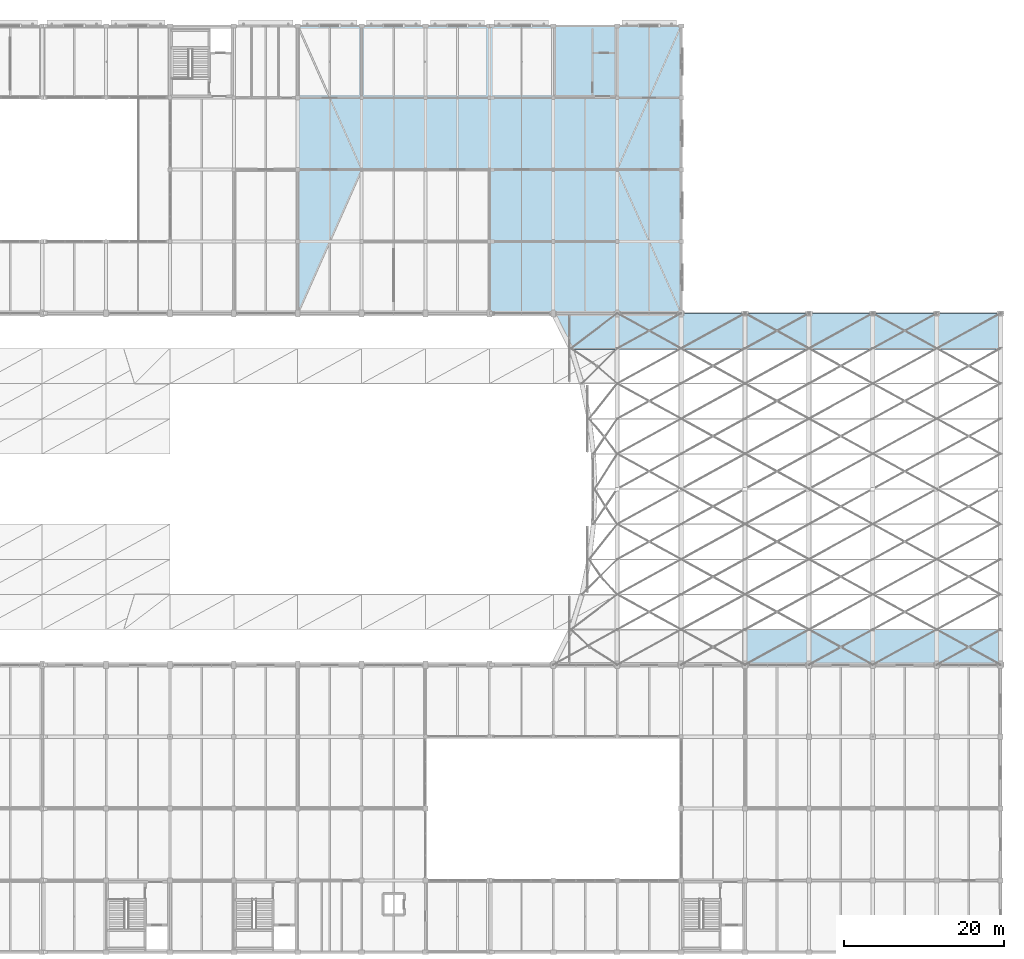
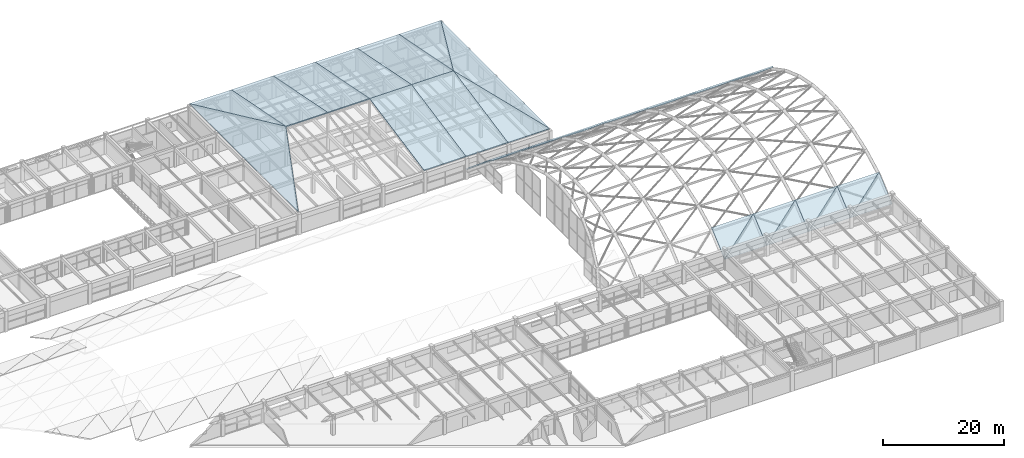
# One storey, part 107 of 126: 33 roofs.
"""IFC4 building model written with IfcOpenShell, lengths in metres."""

from ifc_helpers import new_model, si_unit, direction, frame, origin, place, context, subcontext, project, spatial, polyline, outline, extrude, material, layer, layer_set, type_object, element, save


model = new_model("IFC4")

# Units and contexts
model_context = context("Model", 3, precision=1e-05, world=origin(), true_north=direction((0.0, 1.0)))
body_context = subcontext(model_context, "Body", "Model", "MODEL_VIEW")
ifc_project = project(units=[si_unit("LENGTHUNIT", "METRE"), si_unit("AREAUNIT", "SQUARE_METRE"), si_unit("VOLUMEUNIT", "CUBIC_METRE"), si_unit("PLANEANGLEUNIT", "RADIAN"), si_unit("MASSUNIT", "GRAM", prefix="KILO")], contexts=[model_context])

# Site, building, storey
site_placement = place(None, origin())
site = spatial("IfcSite", under=ifc_project, at=site_placement, CompositionType="ELEMENT")
building_placement = place(site_placement, origin())
building = spatial("IfcBuilding", under=site, at=building_placement, Name="Varnabhumi Central Station", CompositionType="ELEMENT")
storey_placement = place(building_placement, frame((0.0, 0.0, 16.199951171875)))
storey = spatial("IfcBuildingStorey", under=building, at=storey_placement, Name="L03", CompositionType="ELEMENT", Elevation=16.199951171875)

# Roofs
ifc_material_1 = material(Name="Terracotta clay Mission barrel tile", Category="masonry")
ifc_layer_1 = layer(ifc_material_1, 0.179931640625, Name="Terracotta clay Mission barrel tile", Category="masonry")
ifc_layer_set_1 = layer_set([ifc_layer_1], Name="Terracotta clay Mission barrel tile")
roof_type_1 = type_object("IfcRoofType", Name="ROOF-MISSION-HIP", PredefinedType="HIP_ROOF", material=ifc_layer_set_1)
for number, where, z_axis, x_axis, name in (
    (1, (96.0, 80.0, 4.402099609375), (-0.405892611102, 0.0, 0.913920777887), (0.0, 1.0, 0.0), "Clay Barrel-Tile Hip End Slope NW4-E"),
    (2, (144.0, 116.0, 4.402099609375), (0.405892611102, 0.0, 0.913920777887), (0.0, -1.0, 0.0), "Clay Barrel-Tile Hip End Slope NW4-W"),
):
    element("IfcRoof", number, at=place(storey_placement, frame(where, z_axis=z_axis, x_axis=x_axis)), inside=storey, type_object=roof_type_1, Name=name, PredefinedType="HIP_ROOF", context=body_context, shape_type="SweptSolid", body=[
        extrude(outline(polyline([(0.0, 0.0), (36.0, 0.0), (18.0, -8.753493949988933), (0.0, 0.0)])), origin(), (0.0, 0.0, -1.0), 0.179931640625),
    ])
roof_1_placement = place(storey_placement, frame((104.0, 116.0, 4.402099609375), z_axis=(0.0, 0.193651232285, 0.981070435919), x_axis=(-1.0, 0.0, 0.0)))
element("IfcRoof", 3, at=roof_1_placement, inside=storey, type_object=roof_type_1, Name="Clay Barrel-Tile Roof Slope NW4-1N", PredefinedType="HIP_ROOF", context=body_context, shape_type="SweptSolid", body=[
    extrude(outline(polyline([(0.0, 0.0), (8.0, 0.0), (0.0, 18.347306514376786), (0.0, 0.0)])), origin(), (0.0, 0.0, -1.0), 0.179931640625),
])
for number, where, z_axis, x_axis, name in (
    (4, (112.0, 116.0, 4.402099609375), (0.0, 0.193651232285, 0.981070435919), (-1.0, 0.0, 0.0), "Clay Barrel-Tile Roof Slope NW4-2N"),
    (5, (120.0, 116.0, 4.402099609375), (0.0, 0.193651232285, 0.981070435919), (-1.0, 0.0, 0.0), "Clay Barrel-Tile Roof Slope NW4-3N"),
    (6, (120.0, 80.0, 4.402099609375), (0.0, -0.193651232285, 0.981070435919), (1.0, 0.0, 0.0), "Clay Barrel-Tile Roof Slope NW4-4S"),
    (7, (128.0, 116.0, 4.402099609375), (0.0, 0.193651232285, 0.981070435919), (-1.0, 0.0, 0.0), "Clay Barrel-Tile Roof Slope NW4-4N"),
    (8, (128.0, 80.0, 4.402099609375), (0.0, -0.193651232285, 0.981070435919), (1.0, 0.0, 0.0), "Clay Barrel-Tile Roof Slope NW4-5S"),
    (9, (136.0, 116.0, 4.402099609375), (0.0, 0.193651232285, 0.981070435919), (-1.0, 0.0, 0.0), "Clay Barrel-Tile Roof Slope NW4-5N"),
):
    element("IfcRoof", number, at=place(storey_placement, frame(where, z_axis=z_axis, x_axis=x_axis)), inside=storey, type_object=roof_type_1, Name=name, PredefinedType="HIP_ROOF", context=body_context, shape_type="SweptSolid", body=[
        extrude(outline(polyline([(0.0, 0.0), (8.0, 0.0), (8.0, 18.347306514376786), (0.0, 18.347306514376786), (0.0, 0.0)])), origin(), (0.0, 0.0, -1.0), 0.179931640625),
    ])
roof_2_placement = place(storey_placement, frame((136.0, 80.0, 4.402099609375), z_axis=(0.0, -0.193651232285, 0.981070435919), x_axis=(1.0, 0.0, 0.0)))
element("IfcRoof", 10, at=roof_2_placement, inside=storey, type_object=roof_type_1, Name="Clay Barrel-Tile Roof Slope NW4-6S", PredefinedType="HIP_ROOF", context=body_context, shape_type="SweptSolid", body=[
    extrude(outline(polyline([(0.0, 0.0), (8.0, 0.0), (0.0, 18.347306514376786), (0.0, 0.0)])), origin(), (0.0, 0.0, -1.0), 0.179931640625),
])
roof_3_placement = place(storey_placement, frame((144.0, 116.0, 4.402099609375), z_axis=(0.0, 0.193651232285, 0.981070435919), x_axis=(-1.0, 0.0, 0.0)))
element("IfcRoof", 11, at=roof_3_placement, inside=storey, type_object=roof_type_1, Name="Clay Barrel-Tile Roof Slope NW4-6N", PredefinedType="HIP_ROOF", context=body_context, shape_type="SweptSolid", body=[
    extrude(outline(polyline([(0.0, 0.0), (8.0, 0.0), (8.0, 18.347306514376786), (0.0, 0.0)])), origin(), (0.0, 0.0, -1.0), 0.179931640625),
])
ifc_material_2 = material(Name="Champagne bronze diamond metal panel")
ifc_layer_2 = layer(ifc_material_2, 0.159912109375, Name="Champagne bronze diamond metal panel")
ifc_layer_set_2 = layer_set([ifc_layer_2], Name="Champagne bronze diamond metal panel")
roof_type_2 = type_object("IfcRoofType", Name="ROOF-VAULT-BARREL", PredefinedType="BARREL_ROOF", material=ifc_layer_set_2)
roof_4_placement = place(storey_placement, frame((130.2138671875, 75.60009765625, 5.620849609375), z_axis=(0.0, 0.648317740244, 0.761369888875), x_axis=(1.0, 0.0, 0.0)))
element("IfcRoof", 12, at=roof_4_placement, inside=storey, type_object=roof_type_2, Name="Platform Train-Shed Vault Diamond Shell Panel 1-10A", PredefinedType="BARREL_ROOF", context=body_context, shape_type="SweptSolid", body=[
    extrude(outline(polyline([(0.0, 0.0), (5.7861328125, 0.0), (5.7861328125, 5.778928754658784), (0.0, 0.0)])), origin(), (0.0, 0.0, -1.0), 0.159912109375),
])
roof_5_placement = place(storey_placement, frame((130.2138671875, 75.60009765625, 5.620849609375), z_axis=(0.0, 0.648317740244, 0.761369888875), x_axis=(0.707547111794, 0.538034348049, -0.458144218464)))
element("IfcRoof", 13, at=roof_5_placement, inside=storey, type_object=roof_type_2, Name="Platform Train-Shed Vault Diamond Shell Panel 1-10B", PredefinedType="BARREL_ROOF", context=body_context, shape_type="SweptSolid", body=[
    extrude(outline(polyline([(0.0, 0.0), (8.177735045555785, 4.440892098500626e-16), (2.517358151203365, 5.653329409638293), (0.0, 0.0)])), origin(), (0.0, 0.0, -1.0), 0.159912109375),
])
roof_6_placement = place(storey_placement, frame((136.0, 75.60009765625, 5.620849609375), z_axis=(0.0, 0.648317740244, 0.761369888875), x_axis=(1.0, 0.0, 0.0)))
element("IfcRoof", 14, at=roof_6_placement, inside=storey, type_object=roof_type_2, Name="Platform Train-Shed Vault Diamond Shell Panel 2-10A", PredefinedType="BARREL_ROOF", context=body_context, shape_type="SweptSolid", body=[
    extrude(outline(polyline([(0.0, 0.0), (8.0, 0.0), (8.0, 5.778928754658784), (0.0, 0.0)])), origin(), (0.0, 0.0, -1.0), 0.159912109375),
])
roof_7_placement = place(storey_placement, frame((136.0, 75.60009765625, 5.620849609375), z_axis=(0.0, 0.648317740244, 0.761369888875), x_axis=(0.810623868746, 0.4458332325, -0.379633602593)))
element("IfcRoof", 15, at=roof_7_placement, inside=storey, type_object=roof_type_2, Name="Platform Train-Shed Vault Diamond Shell Panel 2-10B", PredefinedType="BARREL_ROOF", context=body_context, shape_type="SweptSolid", body=[
    extrude(outline(polyline([(0.0, 0.0), (9.868942068500662, 0.0), (3.3839511185311686, 4.684537584310085), (0.0, 0.0)])), origin(), (0.0, 0.0, -1.0), 0.159912109375),
])
roof_8_placement = place(storey_placement, frame((144.0, 75.60009765625, 5.620849609375), z_axis=(0.0, 0.648317740244, 0.761369888875), x_axis=(1.0, 0.0, 0.0)))
element("IfcRoof", 16, at=roof_8_placement, inside=storey, type_object=roof_type_2, Name="Platform Train-Shed Vault Diamond Shell Panel 3-10A", PredefinedType="BARREL_ROOF", context=body_context, shape_type="SweptSolid", body=[
    extrude(outline(polyline([(0.0, 0.0), (8.0, 0.0), (8.0, 5.778928754658784), (0.0, 0.0)])), origin(), (0.0, 0.0, -1.0), 0.159912109375),
])
roof_9_placement = place(storey_placement, frame((144.0, 75.60009765625, 5.620849609375), z_axis=(0.0, 0.648317740244, 0.761369888875), x_axis=(0.810623868746, 0.4458332325, -0.379633602593)))
element("IfcRoof", 17, at=roof_9_placement, inside=storey, type_object=roof_type_2, Name="Platform Train-Shed Vault Diamond Shell Panel 3-10B", PredefinedType="BARREL_ROOF", context=body_context, shape_type="SweptSolid", body=[
    extrude(outline(polyline([(0.0, 0.0), (9.868942068500662, 0.0), (3.3839511185311686, 4.684537584310085), (0.0, 0.0)])), origin(), (0.0, 0.0, -1.0), 0.159912109375),
])
roof_10_placement = place(storey_placement, frame((152.0, 36.0, 1.874267578125), z_axis=(0.0, -0.648317740244, 0.761369888875), x_axis=(1.0, 0.0, 0.0)))
element("IfcRoof", 18, at=roof_10_placement, inside=storey, type_object=roof_type_2, Name="Platform Train-Shed Vault Diamond Shell Panel 4-1A", PredefinedType="BARREL_ROOF", context=body_context, shape_type="SweptSolid", body=[
    extrude(outline(polyline([(0.0, 0.0), (8.0, 0.0), (8.0, 5.778928754658784), (0.0, 0.0)])), origin(), (0.0, 0.0, -1.0), 0.159912109375),
])
roof_11_placement = place(storey_placement, frame((152.0, 36.0, 1.874267578125), z_axis=(0.0, -0.648317740244, 0.761369888875), x_axis=(0.810623868746, 0.4458332325, 0.379633602593)))
element("IfcRoof", 19, at=roof_11_placement, inside=storey, type_object=roof_type_2, Name="Platform Train-Shed Vault Diamond Shell Panel 4-1B", PredefinedType="BARREL_ROOF", context=body_context, shape_type="SweptSolid", body=[
    extrude(outline(polyline([(0.0, 0.0), (9.868942068500662, 0.0), (3.3839511185311686, 4.684537584310085), (0.0, 0.0)])), origin(), (0.0, 0.0, -1.0), 0.159912109375),
])
roof_12_placement = place(storey_placement, frame((152.0, 75.60009765625, 5.620849609375), z_axis=(0.0, 0.648317740244, 0.761369888875), x_axis=(1.0, 0.0, 0.0)))
element("IfcRoof", 20, at=roof_12_placement, inside=storey, type_object=roof_type_2, Name="Platform Train-Shed Vault Diamond Shell Panel 4-10A", PredefinedType="BARREL_ROOF", context=body_context, shape_type="SweptSolid", body=[
    extrude(outline(polyline([(0.0, 0.0), (8.0, 0.0), (8.0, 5.778928754658784), (0.0, 0.0)])), origin(), (0.0, 0.0, -1.0), 0.159912109375),
])
roof_13_placement = place(storey_placement, frame((152.0, 75.60009765625, 5.620849609375), z_axis=(0.0, 0.648317740244, 0.761369888875), x_axis=(0.810623868746, 0.4458332325, -0.379633602593)))
element("IfcRoof", 21, at=roof_13_placement, inside=storey, type_object=roof_type_2, Name="Platform Train-Shed Vault Diamond Shell Panel 4-10B", PredefinedType="BARREL_ROOF", context=body_context, shape_type="SweptSolid", body=[
    extrude(outline(polyline([(0.0, 0.0), (9.868942068500662, 0.0), (3.3839511185311686, 4.684537584310085), (0.0, 0.0)])), origin(), (0.0, 0.0, -1.0), 0.159912109375),
])
roof_14_placement = place(storey_placement, frame((160.0, 36.0, 1.874267578125), z_axis=(0.0, -0.648317740244, 0.761369888875), x_axis=(1.0, 0.0, 0.0)))
element("IfcRoof", 22, at=roof_14_placement, inside=storey, type_object=roof_type_2, Name="Platform Train-Shed Vault Diamond Shell Panel 5-1A", PredefinedType="BARREL_ROOF", context=body_context, shape_type="SweptSolid", body=[
    extrude(outline(polyline([(0.0, 0.0), (8.0, 0.0), (8.0, 5.778928754658784), (0.0, 0.0)])), origin(), (0.0, 0.0, -1.0), 0.159912109375),
])
roof_15_placement = place(storey_placement, frame((160.0, 36.0, 1.874267578125), z_axis=(0.0, -0.648317740244, 0.761369888875), x_axis=(0.810623868746, 0.4458332325, 0.379633602593)))
element("IfcRoof", 23, at=roof_15_placement, inside=storey, type_object=roof_type_2, Name="Platform Train-Shed Vault Diamond Shell Panel 5-1B", PredefinedType="BARREL_ROOF", context=body_context, shape_type="SweptSolid", body=[
    extrude(outline(polyline([(0.0, 0.0), (9.868942068500662, 0.0), (3.3839511185311686, 4.684537584310085), (0.0, 0.0)])), origin(), (0.0, 0.0, -1.0), 0.159912109375),
])
roof_16_placement = place(storey_placement, frame((160.0, 75.60009765625, 5.620849609375), z_axis=(0.0, 0.648317740244, 0.761369888875), x_axis=(1.0, 0.0, 0.0)))
element("IfcRoof", 24, at=roof_16_placement, inside=storey, type_object=roof_type_2, Name="Platform Train-Shed Vault Diamond Shell Panel 5-10A", PredefinedType="BARREL_ROOF", context=body_context, shape_type="SweptSolid", body=[
    extrude(outline(polyline([(0.0, 0.0), (8.0, 0.0), (8.0, 5.778928754658784), (0.0, 0.0)])), origin(), (0.0, 0.0, -1.0), 0.159912109375),
])
roof_17_placement = place(storey_placement, frame((160.0, 75.60009765625, 5.620849609375), z_axis=(0.0, 0.648317740244, 0.761369888875), x_axis=(0.810623868746, 0.4458332325, -0.379633602593)))
element("IfcRoof", 25, at=roof_17_placement, inside=storey, type_object=roof_type_2, Name="Platform Train-Shed Vault Diamond Shell Panel 5-10B", PredefinedType="BARREL_ROOF", context=body_context, shape_type="SweptSolid", body=[
    extrude(outline(polyline([(0.0, 0.0), (9.868942068500662, 0.0), (3.3839511185311686, 4.684537584310085), (0.0, 0.0)])), origin(), (0.0, 0.0, -1.0), 0.159912109375),
])
roof_18_placement = place(storey_placement, frame((168.0, 36.0, 1.874267578125), z_axis=(0.0, -0.648317740244, 0.761369888875), x_axis=(1.0, 0.0, 0.0)))
element("IfcRoof", 26, at=roof_18_placement, inside=storey, type_object=roof_type_2, Name="Platform Train-Shed Vault Diamond Shell Panel 6-1A", PredefinedType="BARREL_ROOF", context=body_context, shape_type="SweptSolid", body=[
    extrude(outline(polyline([(0.0, 0.0), (8.0, 0.0), (8.0, 5.778928754658784), (0.0, 0.0)])), origin(), (0.0, 0.0, -1.0), 0.159912109375),
])
roof_19_placement = place(storey_placement, frame((168.0, 36.0, 1.874267578125), z_axis=(0.0, -0.648317740244, 0.761369888875), x_axis=(0.810623868746, 0.4458332325, 0.379633602593)))
element("IfcRoof", 27, at=roof_19_placement, inside=storey, type_object=roof_type_2, Name="Platform Train-Shed Vault Diamond Shell Panel 6-1B", PredefinedType="BARREL_ROOF", context=body_context, shape_type="SweptSolid", body=[
    extrude(outline(polyline([(0.0, 0.0), (9.868942068500662, 0.0), (3.3839511185311686, 4.684537584310085), (0.0, 0.0)])), origin(), (0.0, 0.0, -1.0), 0.159912109375),
])
roof_20_placement = place(storey_placement, frame((168.0, 75.60009765625, 5.620849609375), z_axis=(0.0, 0.648317740244, 0.761369888875), x_axis=(1.0, 0.0, 0.0)))
element("IfcRoof", 28, at=roof_20_placement, inside=storey, type_object=roof_type_2, Name="Platform Train-Shed Vault Diamond Shell Panel 6-10A", PredefinedType="BARREL_ROOF", context=body_context, shape_type="SweptSolid", body=[
    extrude(outline(polyline([(0.0, 0.0), (8.0, 0.0), (8.0, 5.778928754658784), (0.0, 0.0)])), origin(), (0.0, 0.0, -1.0), 0.159912109375),
])
roof_21_placement = place(storey_placement, frame((168.0, 75.60009765625, 5.620849609375), z_axis=(0.0, 0.648317740244, 0.761369888875), x_axis=(0.810623868746, 0.4458332325, -0.379633602593)))
element("IfcRoof", 29, at=roof_21_placement, inside=storey, type_object=roof_type_2, Name="Platform Train-Shed Vault Diamond Shell Panel 6-10B", PredefinedType="BARREL_ROOF", context=body_context, shape_type="SweptSolid", body=[
    extrude(outline(polyline([(0.0, 0.0), (9.868942068500662, 0.0), (3.3839511185311686, 4.684537584310085), (0.0, 0.0)])), origin(), (0.0, 0.0, -1.0), 0.159912109375),
])
roof_22_placement = place(storey_placement, frame((176.0, 36.0, 1.874267578125), z_axis=(0.0, -0.648317740244, 0.761369888875), x_axis=(1.0, 0.0, 0.0)))
element("IfcRoof", 30, at=roof_22_placement, inside=storey, type_object=roof_type_2, Name="Platform Train-Shed Vault Diamond Shell Panel 7-1A", PredefinedType="BARREL_ROOF", context=body_context, shape_type="SweptSolid", body=[
    extrude(outline(polyline([(0.0, 0.0), (8.0, 0.0), (8.0, 5.778928754658784), (0.0, 0.0)])), origin(), (0.0, 0.0, -1.0), 0.159912109375),
])
roof_23_placement = place(storey_placement, frame((176.0, 36.0, 1.874267578125), z_axis=(0.0, -0.648317740244, 0.761369888875), x_axis=(0.810623868746, 0.4458332325, 0.379633602593)))
element("IfcRoof", 31, at=roof_23_placement, inside=storey, type_object=roof_type_2, Name="Platform Train-Shed Vault Diamond Shell Panel 7-1B", PredefinedType="BARREL_ROOF", context=body_context, shape_type="SweptSolid", body=[
    extrude(outline(polyline([(0.0, 0.0), (9.868942068500662, 0.0), (3.3839511185311686, 4.684537584310085), (0.0, 0.0)])), origin(), (0.0, 0.0, -1.0), 0.159912109375),
])
roof_24_placement = place(storey_placement, frame((176.0, 75.60009765625, 5.620849609375), z_axis=(0.0, 0.648317740244, 0.761369888875), x_axis=(1.0, 0.0, 0.0)))
element("IfcRoof", 32, at=roof_24_placement, inside=storey, type_object=roof_type_2, Name="Platform Train-Shed Vault Diamond Shell Panel 7-10A", PredefinedType="BARREL_ROOF", context=body_context, shape_type="SweptSolid", body=[
    extrude(outline(polyline([(0.0, 0.0), (8.0, 0.0), (8.0, 5.778928754658784), (0.0, 0.0)])), origin(), (0.0, 0.0, -1.0), 0.159912109375),
])
roof_25_placement = place(storey_placement, frame((176.0, 75.60009765625, 5.620849609375), z_axis=(0.0, 0.648317740244, 0.761369888875), x_axis=(0.810623868746, 0.4458332325, -0.379633602593)))
element("IfcRoof", 33, at=roof_25_placement, inside=storey, type_object=roof_type_2, Name="Platform Train-Shed Vault Diamond Shell Panel 7-10B", PredefinedType="BARREL_ROOF", context=body_context, shape_type="SweptSolid", body=[
    extrude(outline(polyline([(0.0, 0.0), (9.868942068500662, 0.0), (3.3839511185311686, 4.684537584310085), (0.0, 0.0)])), origin(), (0.0, 0.0, -1.0), 0.159912109375),
])

save(model, "model.ifc")
